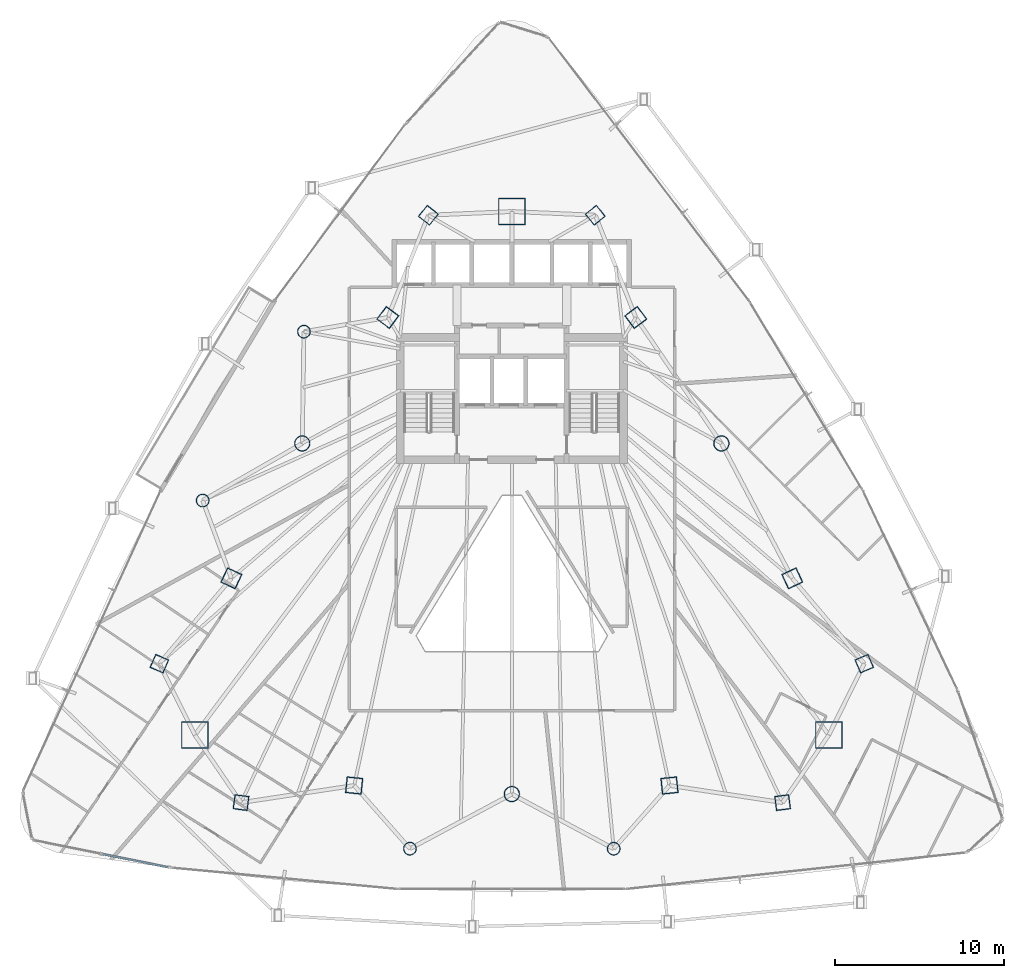
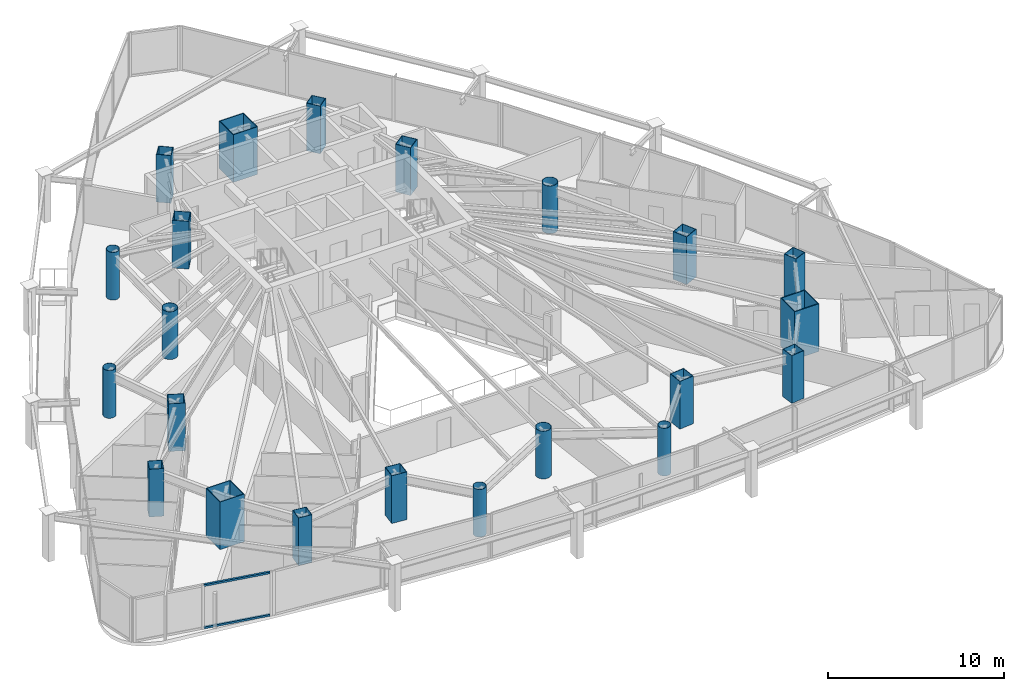
# One storey, part 1 of 35: 22 columns, 2 members, 1 element without a shape of its own.
"""IFC4 building model written with IfcOpenShell, lengths in metres."""

from ifc_helpers import new_model, si_unit, direction, frame, origin, origin_2d, place, context, subcontext, project, spatial, hollow_rectangle, hollow_circle, extrude, material, layer, layer_set, material_profile, profile_set, type_object, element, aggregate, save


model = new_model("IFC4")

# Units and contexts
model_context = context("Model", 3, precision=1e-05, world=origin(), true_north=direction((0.0, 1.0)))
body_context = subcontext(model_context, "Body", "Model", "MODEL_VIEW")
ifc_project = project(units=[si_unit("LENGTHUNIT", "METRE"), si_unit("AREAUNIT", "SQUARE_METRE"), si_unit("VOLUMEUNIT", "CUBIC_METRE"), si_unit("PLANEANGLEUNIT", "RADIAN"), si_unit("MASSUNIT", "GRAM", prefix="KILO")], contexts=[model_context])

# Site, building, storey
site_placement = place(None, origin())
site = spatial("IfcSite", under=ifc_project, at=site_placement, CompositionType="ELEMENT")
building_placement = place(site_placement, origin())
building = spatial("IfcBuilding", under=site, at=building_placement, Name="Orvanel Arch Residences", CompositionType="ELEMENT")
storey_placement = place(building_placement, frame((0.0, 0.0, 30.199951171875)))
storey = spatial("IfcBuildingStorey", under=building, at=storey_placement, Name="L07", CompositionType="ELEMENT", Elevation=30.199951171875)

# Columns
ifc_material_1 = material(Name="Structural steel AS/NZS 1163 C450L0 (Grade 450)", Category="steel")
ifc_material_profile_1 = material_profile(ifc_material_1, hollow_circle(Radius=0.381103515625, WallThickness=0.02197265625, at=origin_2d()), Name="CHS762x22")
ifc_profile_set_1 = profile_set([ifc_material_profile_1], Name="Structural steel AS/NZS 1163 C450L0 (Grade 450)")
column_type_1 = type_object("IfcColumnType", Name="CC-762", PredefinedType="COLUMN", material=ifc_profile_set_1)
for number, where, z_axis, x_axis, name in (
    (1, (20.669921875, 34.27099609375, 0.0), (0.0, 0.0, 1.0), (1.0, 0.0, 0.0), "L07 Low-Rise Buttress Tube Column 01"),
    (2, (14.662109375, 24.256103515625, 0.0), (0.0, 0.0, 1.0), (1.0, 0.0, 0.0), "L07 Low-Rise Buttress Tube Column 02"),
    (3, (26.9580078125, 3.60498046875, 0.0), (0.0, 0.0, 1.0), (1.0, 0.0, 0.0), "L07 Low-Rise Buttress Tube Column 03"),
    (4, (39.0419921875, 3.60498046875, 0.0), (0.0, 0.0, 1.0), (1.0, 0.0, 0.0), "L07 Low-Rise Buttress Tube Column 04"),
):
    element("IfcColumn", number, at=place(storey_placement, frame(where, z_axis=z_axis, x_axis=x_axis)), inside=storey, type_object=column_type_1, Name=name, PredefinedType="COLUMN", context=body_context, shape_type="SweptSolid", body=[
        extrude(hollow_circle(Radius=0.381103515625, WallThickness=0.02197265625, at=origin_2d()), origin(), (0.0, 0.0, 1.0), 3.300048828125),
    ])
ifc_material_profile_2 = material_profile(ifc_material_1, hollow_circle(Radius=0.45703125, WallThickness=0.02490234375, at=origin_2d()), Name="CHS914x25")
ifc_profile_set_2 = profile_set([ifc_material_profile_2], Name="Structural steel AS/NZS 1163 C450L0 (Grade 450)")
column_type_2 = type_object("IfcColumnType", Name="CC-914", PredefinedType="COLUMN", material=ifc_profile_set_2)
for number, where, z_axis, x_axis, name in (
    (5, (20.569091796875, 27.64111328125, 0.0), (0.0, 0.0, 1.0), (1.0, 0.0, 0.0), "L07 High-Rise Tube Column 02"),
    (6, (33.0, 6.843994140625, 0.0), (0.0, 0.0, 1.0), (1.0, 0.0, 0.0), "L07 High-Rise Tube Column 05"),
    (7, (45.430908203125, 27.64111328125, 0.0), (0.0, 0.0, 1.0), (1.0, 0.0, 0.0), "L07 High-Rise Tube Column 08"),
):
    element("IfcColumn", number, at=place(storey_placement, frame(where, z_axis=z_axis, x_axis=x_axis)), inside=storey, type_object=column_type_2, Name=name, PredefinedType="COLUMN", context=body_context, shape_type="SweptSolid", body=[
        extrude(hollow_circle(Radius=0.45703125, WallThickness=0.02490234375, at=origin_2d()), origin(), (0.0, 0.0, 1.0), 3.300048828125),
    ])
ifc_material_2 = material(Name="Structural steel AS/NZS 3678 Grade 450", Category="steel")
ifc_material_profile_3 = material_profile(ifc_material_2, hollow_rectangle(XDim=1.60009765625, YDim=1.60009765625, WallThickness=0.050048828125, at=origin_2d()), Name="BOX1600x1600x50")
ifc_profile_set_3 = profile_set([ifc_material_profile_3], Name="Structural steel AS/NZS 3678 Grade 450")
column_type_3 = type_object("IfcColumnType", Name="MC-1600", PredefinedType="COLUMN", material=ifc_profile_set_3)
for number, where, z_axis, x_axis, name in (
    (8, (33.0, 41.39794921875, 0.0), (0.0, 0.0, 1.0), (1.0, 0.0, 0.0), "L07 Corner Mega-Column 1"),
    (9, (14.198974609375, 10.35107421875, 0.0), (0.0, 0.0, 1.0), (1.0, 0.0, 0.0), "L07 Corner Mega-Column 2"),
    (10, (51.801025390625, 10.35107421875, 0.0), (0.0, 0.0, 1.0), (1.0, 0.0, 0.0), "L07 Corner Mega-Column 3"),
):
    element("IfcColumn", number, at=place(storey_placement, frame(where, z_axis=z_axis, x_axis=x_axis)), inside=storey, type_object=column_type_3, Name=name, PredefinedType="COLUMN", context=body_context, shape_type="SweptSolid", body=[
        extrude(hollow_rectangle(XDim=1.60009765625, YDim=1.60009765625, WallThickness=0.050048828125, at=origin_2d()), origin(), (0.0, 0.0, 1.0), 3.300048828125),
    ])
ifc_material_3 = material(Name="Structural steel AS/NZS 3678 Grade 350", Category="steel")
ifc_material_profile_4 = material_profile(ifc_material_3, hollow_rectangle(XDim=0.85009765625, YDim=0.85009765625, WallThickness=0.028076171875, at=origin_2d()), Name="BOX850x850x28")
ifc_profile_set_4 = profile_set([ifc_material_profile_4], Name="Structural steel AS/NZS 3678 Grade 350")
column_type_4 = type_object("IfcColumnType", Name="TC-850", PredefinedType="COLUMN", material=ifc_profile_set_4)
for number, where, z_axis, x_axis, name in (
    (11, (28.050048828125, 41.177978515625, 0.0), (0.0, 0.0, 1.0), (0.623879596709, 0.781520472419, 0.0), "L07 Mid-Rise Buttress Tube Column 01"),
    (12, (12.094970703125, 14.580078125, 0.0), (0.0, 0.0, 1.0), (0.397147890635, 0.917754625684, 0.0), "L07 Mid-Rise Buttress Tube Column 02"),
    (13, (16.94091796875, 6.339111328125, 0.0), (0.0, 0.0, 1.0), (-0.99189444259, 0.127064608601, 0.0), "L07 Mid-Rise Buttress Tube Column 03"),
    (14, (49.05908203125, 6.339111328125, 0.0), (0.0, 0.0, 1.0), (0.99189444259, 0.127064608601, 0.0), "L07 Mid-Rise Buttress Tube Column 04"),
    (15, (53.905029296875, 14.580078125, 0.0), (0.0, 0.0, 1.0), (-0.397147890635, 0.917754625684, 0.0), "L07 Mid-Rise Buttress Tube Column 05"),
    (16, (37.949951171875, 41.177978515625, 0.0), (0.0, 0.0, 1.0), (-0.623879596709, 0.781520472419, 0.0), "L07 Mid-Rise Buttress Tube Column 06"),
):
    element("IfcColumn", number, at=place(storey_placement, frame(where, z_axis=z_axis, x_axis=x_axis)), inside=storey, type_object=column_type_4, Name=name, PredefinedType="COLUMN", context=body_context, shape_type="SweptSolid", body=[
        extrude(hollow_rectangle(XDim=0.85009765625, YDim=0.85009765625, WallThickness=0.028076171875, at=origin_2d()), origin(), (0.0, 0.0, 1.0), 3.300048828125),
    ])
ifc_material_profile_5 = material_profile(ifc_material_3, hollow_rectangle(XDim=0.949951171875, YDim=0.949951171875, WallThickness=0.031982421875, at=origin_2d()), Name="BOX950x950x32")
ifc_profile_set_5 = profile_set([ifc_material_profile_5], Name="Structural steel AS/NZS 3678 Grade 350")
column_type_5 = type_object("IfcColumnType", Name="TC-950", PredefinedType="COLUMN", material=ifc_profile_set_5)
for number, where, z_axis, x_axis, name in (
    (17, (25.64794921875, 35.113037109375, 0.0), (0.0, 0.0, 1.0), (0.600420225326, 0.799684658487, 0.0), "L07 High-Rise Tube Column 01"),
    (18, (16.366943359375, 19.64208984375, 0.0), (0.0, 0.0, 1.0), (0.422618261741, 0.906307787037, 0.0), "L07 High-Rise Tube Column 03"),
    (19, (23.64892578125, 7.35498046875, 0.0), (0.0, 0.0, 1.0), (-0.994880708829, 0.101056297183, 0.0), "L07 High-Rise Tube Column 04"),
    (20, (42.35107421875, 7.35498046875, 0.0), (0.0, 0.0, 1.0), (0.994880708829, 0.101056297183, 0.0), "L07 High-Rise Tube Column 06"),
    (21, (49.633056640625, 19.64208984375, 0.0), (0.0, 0.0, 1.0), (-0.422618261741, 0.906307787037, 0.0), "L07 High-Rise Tube Column 07"),
    (22, (40.35205078125, 35.113037109375, 0.0), (0.0, 0.0, 1.0), (-0.600420225326, 0.799684658487, 0.0), "L07 High-Rise Tube Column 09"),
):
    element("IfcColumn", number, at=place(storey_placement, frame(where, z_axis=z_axis, x_axis=x_axis)), inside=storey, type_object=column_type_5, Name=name, PredefinedType="COLUMN", context=body_context, shape_type="SweptSolid", body=[
        extrude(hollow_rectangle(XDim=0.949951171875, YDim=0.949951171875, WallThickness=0.031982421875, at=origin_2d()), origin(), (0.0, 0.0, 1.0), 3.300048828125),
    ])

# Curtain wall, members
ifc_material_4 = material(Name="Bronze-anodised aluminium AA6063-T6", Category="aluminium")
ifc_layer = layer(ifc_material_4, 0.18994140625)
ifc_layer_set = layer_set([ifc_layer], Name="Bronze-anodised aluminium AA6063-T6")
curtain_wall_type = type_object("IfcCurtainWallType", Name="CW5-CRN-SYS", PredefinedType="NOTDEFINED", material=ifc_layer_set)
curtain_wall_placement = place(storey_placement, origin())
curtain_wall = element("IfcCurtainWall", 23, at=curtain_wall_placement, inside=storey, type_object=curtain_wall_type, Name="L07 CW5-CRN-SYS Unitised Curtain Wall", PredefinedType="NOTDEFINED")
ifc_material_profile_6 = material_profile(ifc_material_4, hollow_rectangle(XDim=0.1298828125, YDim=0.1298828125, WallThickness=0.00439453125, at=origin_2d()), Name="ALU130x130x4.5")
ifc_profile_set_6 = profile_set([ifc_material_profile_6], Name="Bronze-anodised aluminium AA6063-T6")
member_type = type_object("IfcMemberType", Name="TRN-130x130", PredefinedType="USERDEFINED", material=ifc_profile_set_6)
member_1_placement = place(storey_placement, frame((8.73291015625, 3.28662109375, 0.06494140625), z_axis=(0.980399326338, -0.197020711897, 0.0), x_axis=(0.197020711897, 0.980399326338, 0.0)))
member_1 = element("IfcMember", 24, at=member_1_placement, type_object=member_type, Name="CW-S5 transom 2.1", ObjectType="TRANSOM", PredefinedType="USERDEFINED", context=body_context, shape_type="SweptSolid", body=[
    extrude(hollow_rectangle(XDim=0.1298828125, YDim=0.1298828125, WallThickness=0.00439453125, at=origin_2d()), origin(), (0.0, 0.0, 1.0), 3.9443359375),
])
member_2_placement = place(storey_placement, frame((8.73291015625, 3.28662109375, 2.9951171875), z_axis=(0.980399326338, -0.197020711897, 0.0), x_axis=(0.197020711897, 0.980399326338, 0.0)))
member_2 = element("IfcMember", 25, at=member_2_placement, type_object=member_type, Name="CW-S5 transom 2.2", ObjectType="TRANSOM", PredefinedType="USERDEFINED", context=body_context, shape_type="SweptSolid", body=[
    extrude(hollow_rectangle(XDim=0.1298828125, YDim=0.1298828125, WallThickness=0.00439453125, at=origin_2d()), origin(), (0.0, 0.0, 1.0), 3.9443359375),
])
aggregate(curtain_wall, [member_1, member_2])

save(model, "model.ifc")
